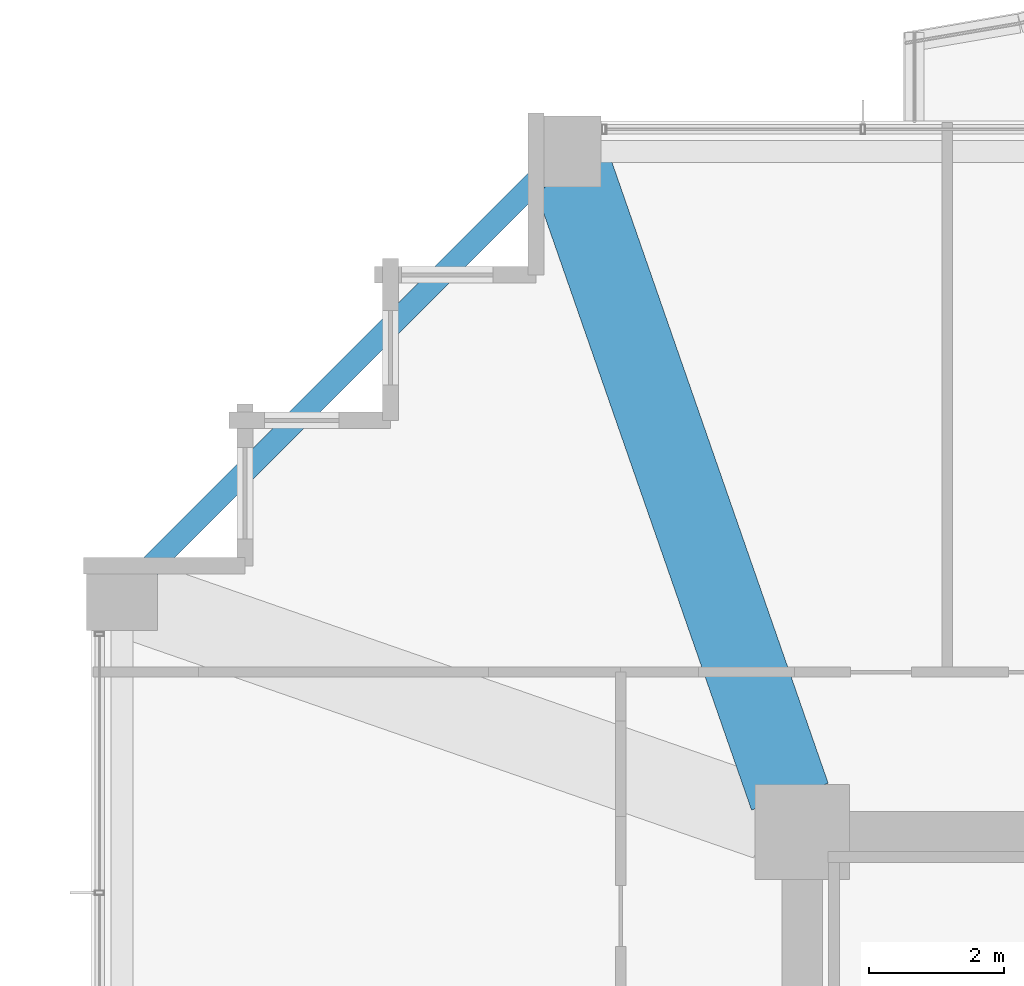
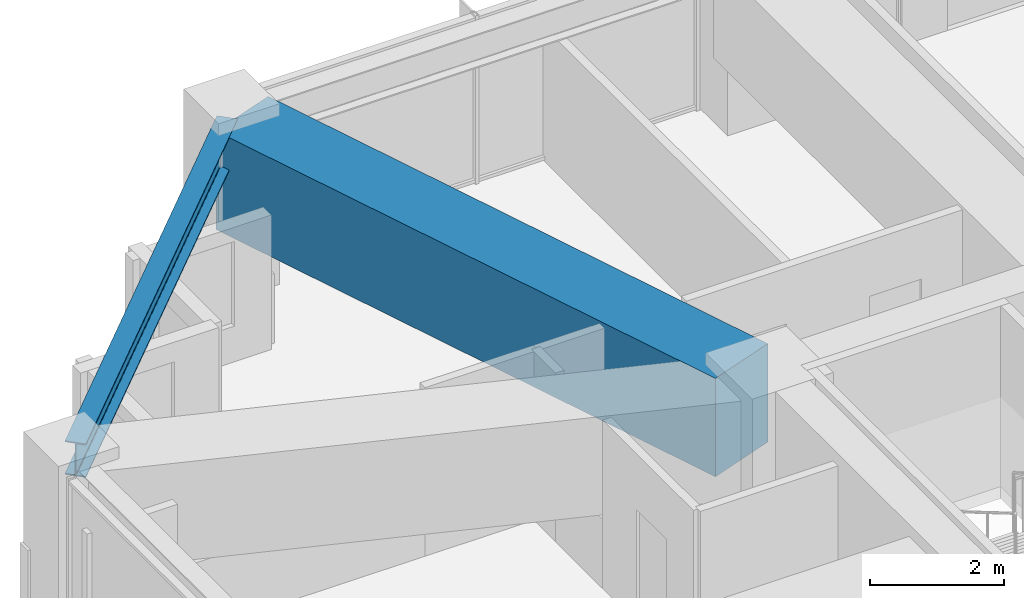
# One storey, part 20 of 39: 2 beams.
"""IFC4 building model written with IfcOpenShell, lengths in metres."""

import ifcopenshell
import ifcopenshell.guid

model = None  # the IFC model being written
_history = None  # IfcOwnerHistory: only IFC2X3 demands one
_inside = {}  # id of a spatial element -> (the spatial element, [elements in it])
_under = {}  # id of a project, library or spatial element -> (it, [spatial elements below it])
_declared = {}  # id of a project -> (the project, [libraries it declares])
_typed = {}  # id of a type object -> (the type object, [elements of that type])
_made_of = {}  # id of a material, layer set ... -> (it, [elements and type objects made of it])


def new_model(schema):
    """Start an empty IFC model of exactly this schema.

    Asked for "IFC4X3", IfcOpenShell would pick the latest addendum, in which some entities
    have other attributes; the version numbers below select the first issue.
    IFC2X3 requires an IfcOwnerHistory on every rooted entity: one is made here for all.
    """
    global model, _history
    if schema == "IFC4X3":
        model = ifcopenshell.file(schema_version=(4, 3, 0, 0))
    else:
        model = ifcopenshell.file(schema=schema)
    _inside.clear()
    _under.clear()
    _declared.clear()
    _typed.clear()
    _made_of.clear()
    _history = None
    if model.schema == "IFC2X3":
        org = make("IfcOrganization", Name="unknown")
        user = make(
            "IfcPersonAndOrganization",
            ThePerson=make("IfcPerson", FamilyName="unknown"),
            TheOrganization=org,
        )
        app = make(
            "IfcApplication",
            ApplicationDeveloper=org,
            Version="unknown",
            ApplicationFullName="unknown",
            ApplicationIdentifier="unknown",
        )
        _history = make(
            "IfcOwnerHistory",
            OwningUser=user,
            OwningApplication=app,
            ChangeAction="ADDED",
            CreationDate=0,
        )
    return model


def make(cls, **values):
    """One entity of the class cls with the attributes given. An attribute that is None is left unset."""
    return model.create_entity(
        cls, **{name: value for name, value in values.items() if value is not None}
    )


def rooted(cls, **values):
    """An entity with a GlobalId (a new one), such as an element, a storey or a relation."""
    return make(cls, GlobalId=ifcopenshell.guid.new(), OwnerHistory=_history, **values)


def si_unit(unit_type, name, prefix=None):
    """IfcSIUnit, for example si_unit("LENGTHUNIT", "METRE", prefix="MILLI")."""
    return make("IfcSIUnit", UnitType=unit_type, Prefix=prefix, Name=name)


def assignment(units):
    """IfcUnitAssignment: the units of a project."""
    return None if units is None else make("IfcUnitAssignment", Units=units)


def point(xyz):
    """IfcCartesianPoint."""
    return None if xyz is None else make("IfcCartesianPoint", Coordinates=xyz)


def direction(xyz):
    """IfcDirection."""
    return None if xyz is None else make("IfcDirection", DirectionRatios=xyz)


def frame(location, z_axis=None, x_axis=None):
    """IfcAxis2Placement3D, a coordinate frame: its origin and axes. An axis left out is left unset."""
    return make(
        "IfcAxis2Placement3D",
        Location=point(location),
        Axis=direction(z_axis),
        RefDirection=direction(x_axis),
    )


def frame_2d(location, x_axis=None):
    """IfcAxis2Placement2D, a coordinate frame in the plane: its origin and x axis."""
    return make(
        "IfcAxis2Placement2D", Location=point(location), RefDirection=direction(x_axis)
    )


def origin():
    """The frame at (0, 0, 0) with its axes left unset."""
    return frame((0.0, 0.0, 0.0))


def origin_2d():
    """The frame at (0, 0) in the plane with its x axis left unset."""
    return frame_2d((0.0, 0.0))


def place(relative_to, where):
    """IfcLocalPlacement: puts the frame where relative to a parent placement (None: the world)."""
    return make(
        "IfcLocalPlacement", PlacementRelTo=relative_to, RelativePlacement=where
    )


def context(
    kind, dimensions, precision=None, world=None, true_north=None, identifier=None
):
    """IfcGeometricRepresentationContext, for example the 3D "Model" context."""
    return make(
        "IfcGeometricRepresentationContext",
        ContextIdentifier=identifier,
        ContextType=kind,
        CoordinateSpaceDimension=dimensions,
        Precision=precision,
        WorldCoordinateSystem=world,
        TrueNorth=true_north,
    )


def subcontext(parent, identifier, kind, view, scale=None):
    """IfcGeometricRepresentationSubContext, for example "Body" below "Model"."""
    return make(
        "IfcGeometricRepresentationSubContext",
        ContextIdentifier=identifier,
        ContextType=kind,
        ParentContext=parent,
        TargetScale=scale,
        TargetView=view,
    )


def project(units=None, contexts=None):
    """IfcProject with its units and contexts."""
    return rooted(
        "IfcProject",
        Name="project",
        RepresentationContexts=contexts,
        UnitsInContext=assignment(units),
    )


def spatial(cls, under=None, at=None, **own):
    """A site, building, storey or space (cls), placed at a placement, below another one or the project."""
    s = rooted(cls, ObjectPlacement=at, **own)
    if under is not None:
        _under.setdefault(under.id(), (under, []))[1].append(s)
    return s


def profile(cls, at=None, kind="AREA", **sizes):
    """A parametric profile (cls). Its sizes go by their IFC names, for example OverallWidth=200.0."""
    return make(cls, ProfileType=kind, Position=at, **sizes)


def rectangle(**sizes):
    """IfcRectangleProfileDef."""
    return profile("IfcRectangleProfileDef", **sizes)


def i_section(**sizes):
    """IfcIShapeProfileDef."""
    return profile("IfcIShapeProfileDef", **sizes)


def extrude(swept, where, along, depth):
    """IfcExtrudedAreaSolid: the profile swept, set in the frame where, extruded along a direction by depth."""
    return make(
        "IfcExtrudedAreaSolid",
        SweptArea=swept,
        Position=where,
        ExtrudedDirection=direction(along),
        Depth=depth,
    )


def shape(context_of_items, identifier, shape_type, items):
    """IfcShapeRepresentation: the items that make up one representation, for example the "Body"."""
    return make(
        "IfcShapeRepresentation",
        ContextOfItems=context_of_items,
        RepresentationIdentifier=identifier,
        RepresentationType=shape_type,
        Items=items,
    )


def material(Name=None, Category=None):
    """IfcMaterial."""
    return make("IfcMaterial", Name=Name, Category=Category)


def material_profile(
    of_material, cross_section, Name=None, Category=None, Priority=None
):
    """IfcMaterialProfile: a cross section and its material."""
    return make(
        "IfcMaterialProfile",
        Name=Name,
        Material=of_material,
        Profile=cross_section,
        Priority=Priority,
        Category=Category,
    )


def profile_set(profiles, Name=None, composite=None):
    """IfcMaterialProfileSet."""
    return make(
        "IfcMaterialProfileSet",
        Name=Name,
        MaterialProfiles=profiles,
        CompositeProfile=composite,
    )


def made_of(thing, what):
    """Note that an element or type object is made of a material, layer set ...; save() writes the relation."""
    if what is not None:
        _made_of.setdefault(what.id(), (what, []))[1].append(thing)
    return thing


def type_object(cls, material=None, **own):
    """A type object (cls), such as IfcWallType, which elements share."""
    return made_of(rooted(cls, **own), material)


def element(
    cls,
    number,
    at=None,
    inside=None,
    cuts=None,
    type_object=None,
    material=None,
    context=None,
    identifier="Body",
    shape_type=None,
    held_by="IfcProductDefinitionShape",
    body=None,
    shapes=None,
    **own,
):
    """One element of the class cls, such as IfcWall. Its Tag is "e" and its number.

    at: its placement. inside: the storey or other place that contains it. cuts: it is an
    opening in that element (IfcRelVoidsElement). A single representation is given by context,
    identifier, shape_type and body (its items); several are given by shapes. held_by: the class
    of the entity that holds the representations. save() writes the other relations.
    """
    e = rooted(cls, Tag="e%d" % number, ObjectPlacement=at, **own)
    if body is not None:
        shapes = [shape(context, identifier, shape_type, body)]
    if shapes is not None:
        e.Representation = make(held_by, Representations=shapes)
    if inside is not None:
        _inside.setdefault(inside.id(), (inside, []))[1].append(e)
    if cuts is not None:
        rooted(
            "IfcRelVoidsElement", RelatingBuildingElement=cuts, RelatedOpeningElement=e
        )
    if type_object is not None:
        _typed.setdefault(type_object.id(), (type_object, []))[1].append(e)
    return made_of(e, material)


def aggregate(whole, parts):
    """IfcRelAggregates: a whole, such as a stair, and the parts it consists of."""
    return rooted("IfcRelAggregates", RelatingObject=whole, RelatedObjects=parts)


def save(model, path):
    """Write the relations noted so far, then the file.

    IfcRelAggregates (storeys below a building ...), IfcRelContainedInSpatialStructure (elements
    in a storey), IfcRelDefinesByType, IfcRelAssociatesMaterial and IfcRelDeclares: one each for
    every whole, place, type object, material and project.
    """
    for whole, parts in _under.values():
        aggregate(whole, parts)
    for where, things in _inside.values():
        rooted(
            "IfcRelContainedInSpatialStructure",
            RelatedElements=things,
            RelatingStructure=where,
        )
    for kind, things in _typed.values():
        rooted("IfcRelDefinesByType", RelatedObjects=things, RelatingType=kind)
    for what, things in _made_of.values():
        rooted("IfcRelAssociatesMaterial", RelatedObjects=things, RelatingMaterial=what)
    for by, libraries in _declared.values():
        rooted("IfcRelDeclares", RelatingContext=by, RelatedDefinitions=libraries)
    model.write(path)


model = new_model("IFC4")

# Units and contexts
model_context = context("Model", 3, precision=1e-05, world=origin(), true_north=direction((0.0, 1.0)))
body_context = subcontext(model_context, "Body", "Model", "MODEL_VIEW")
ifc_project = project(units=[si_unit("LENGTHUNIT", "METRE"), si_unit("AREAUNIT", "SQUARE_METRE"), si_unit("VOLUMEUNIT", "CUBIC_METRE"), si_unit("PLANEANGLEUNIT", "RADIAN"), si_unit("MASSUNIT", "GRAM", prefix="KILO")], contexts=[model_context])

# Site, building, storey
site_placement = place(None, origin())
site = spatial("IfcSite", under=ifc_project, at=site_placement, CompositionType="ELEMENT")
building_placement = place(site_placement, origin())
building = spatial("IfcBuilding", under=site, at=building_placement, Name="Kolvaren Belvedere", CompositionType="ELEMENT")
storey_placement = place(building_placement, frame((0.0, 0.0, 85.39990234375)))
storey = spatial("IfcBuildingStorey", under=building, at=storey_placement, Name="L24", CompositionType="ELEMENT", Elevation=85.39990234375)

# Beams
ifc_material_1 = material(Name="Structural steel ASTM A992 Grade 50", Category="steel")
ifc_material_profile_1 = material_profile(ifc_material_1, i_section(OverallWidth=0.324951171875, OverallDepth=0.615966796875, WebThickness=0.013916015625, FlangeThickness=0.021484375, FilletRadius=0.02001953125, at=origin_2d()), Name="W24X117")
ifc_profile_set_1 = profile_set([ifc_material_profile_1], Name="Structural steel ASTM A992 Grade 50")
beam_type_1 = type_object("IfcBeamType", Name="BM-SPAN-W24X117", PredefinedType="SPANDREL", material=ifc_profile_set_1)
beam_1_placement = place(storey_placement, frame((-13.567138671875, 19.782958984375, 2.772216796875), z_axis=(-0.707106781187, -0.707106781187, 0.0), x_axis=(0.707106781187, -0.707106781187, 0.0)))
element("IfcBeam", 1, at=beam_1_placement, inside=storey, type_object=beam_type_1, Name="L24 Perimeter Spandrel N1-W4", PredefinedType="SPANDREL", context=body_context, shape_type="SweptSolid", body=[
    extrude(i_section(OverallWidth=0.324951171875, OverallDepth=0.615966796875, WebThickness=0.013916015625, FlangeThickness=0.021484375, FilletRadius=0.02001953125, at=origin_2d()), origin(), (0.0, 0.0, 1.0), 8.79052734375),
])
ifc_material_2 = material(Name="Concrete C50/60", Category="concrete")
ifc_material_profile_2 = material_profile(ifc_material_2, rectangle(XDim=1.199951171875, YDim=1.800048828125, at=origin_2d()), Name="RC 1200X1800")
ifc_profile_set_2 = profile_set([ifc_material_profile_2], Name="Concrete C50/60")
beam_type_2 = type_object("IfcBeamType", Name="BM-TG-1800", PredefinedType="BEAM", material=ifc_profile_set_2)
beam_2_placement = place(storey_placement, frame((-10.080810546875, 10.41943359375, 2.18017578125), z_axis=(-0.328880894453, 0.944371408538, 0.0), x_axis=(-0.944371408538, -0.328880894453, 0.0)))
element("IfcBeam", 2, at=beam_2_placement, inside=storey, type_object=beam_type_2, Name="L24 Corner Core-to-Perimeter Girder CC4-N1", PredefinedType="BEAM", context=body_context, shape_type="SweptSolid", body=[
    extrude(rectangle(XDim=1.199951171875, YDim=1.800048828125, at=origin_2d()), origin(), (0.0, 0.0, 1.0), 9.882080078125),
])

save(model, "model.ifc")
